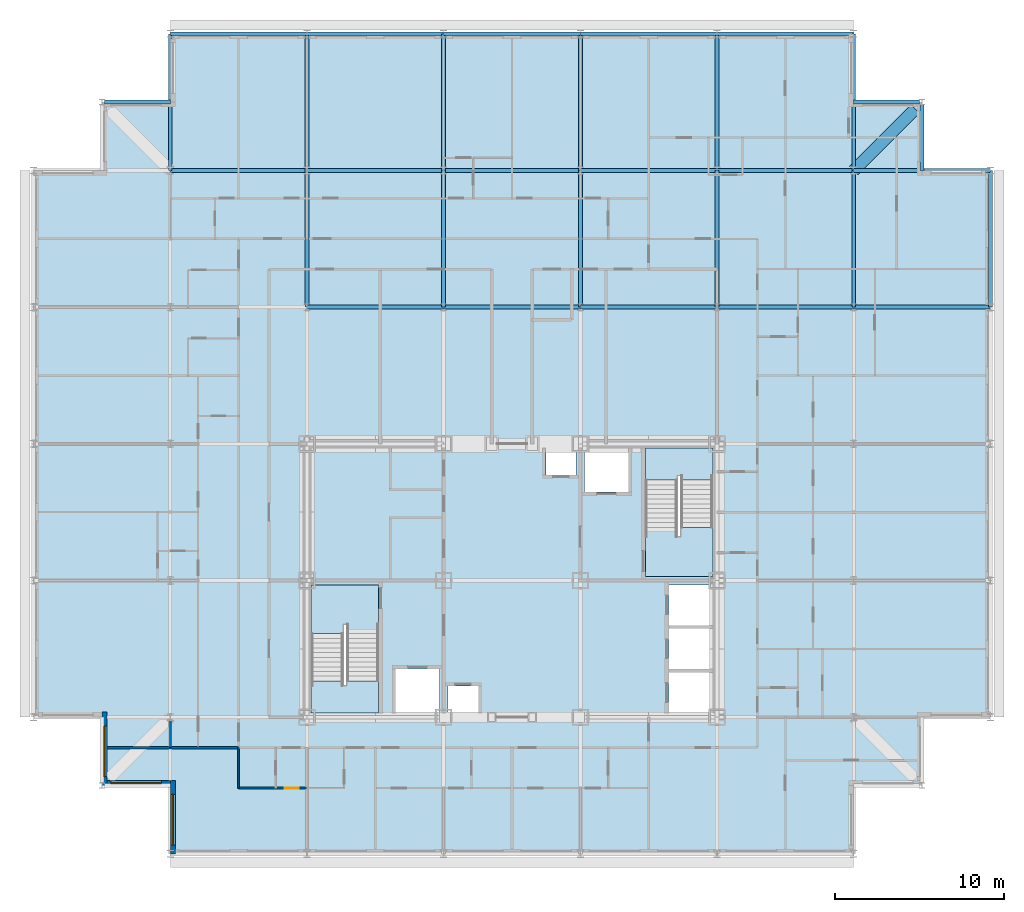
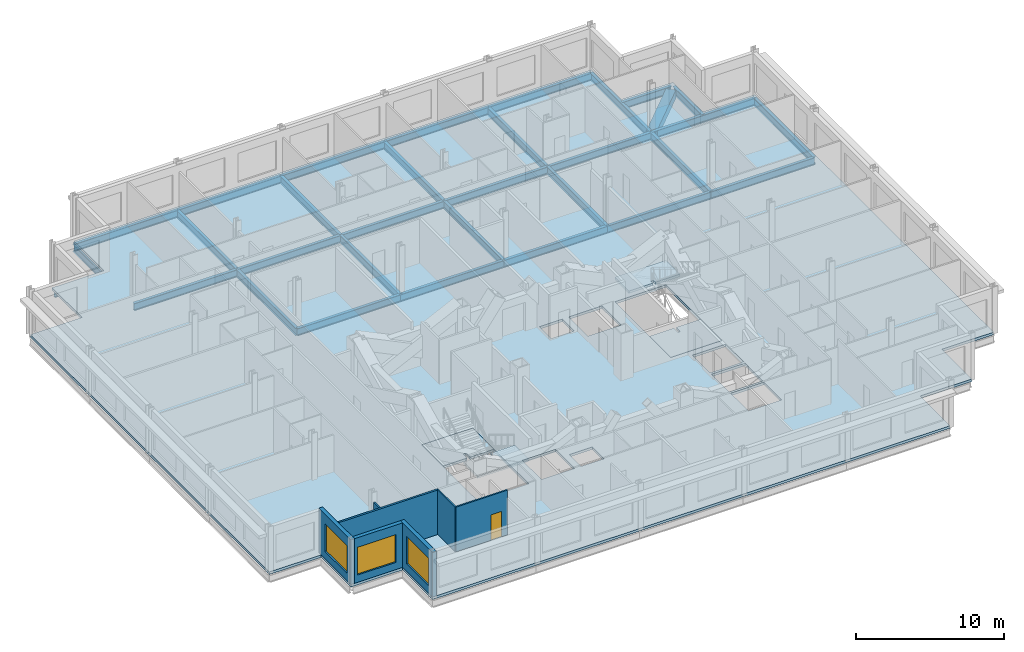
# One storey, part 6 of 15: 32 beams, 7 walls, 5 slabs, 3 windows, 1 door, 4 openings, 2 elements without a shape of their own.
"""IFC4 building model written with IfcOpenShell, lengths in metres."""

from ifc_helpers import new_model, si_unit, direction, frame, frame_2d, origin, origin_2d, place, context, subcontext, project, spatial, polyline, rectangle, hollow_rectangle, i_section, outline, extrude, material, layer, layer_set, material_profile, profile_set, type_object, element, fill, aggregate, save


model = new_model("IFC4")

# Units and contexts
model_context = context("Model", 3, precision=1e-05, world=origin(), true_north=direction((0.0, 1.0)))
body_context = subcontext(model_context, "Body", "Model", "MODEL_VIEW")
ifc_project = project(units=[si_unit("LENGTHUNIT", "METRE"), si_unit("AREAUNIT", "SQUARE_METRE"), si_unit("VOLUMEUNIT", "CUBIC_METRE"), si_unit("PLANEANGLEUNIT", "RADIAN"), si_unit("MASSUNIT", "GRAM", prefix="KILO")], contexts=[model_context])

# Site, building, storey
site_placement = place(None, origin())
site = spatial("IfcSite", under=ifc_project, at=site_placement, CompositionType="ELEMENT")
building_placement = place(site_placement, origin())
building = spatial("IfcBuilding", under=site, at=building_placement, Name="Kopane Lantern Tower", CompositionType="ELEMENT")
storey_placement = place(building_placement, frame((0.0, 0.0, 254.10009765625)))
storey = spatial("IfcBuildingStorey", under=building, at=storey_placement, Name="L65", CompositionType="ELEMENT", Elevation=254.10009765625)

# Beams
ifc_material_1 = material(Name="Steel S355JR", Category="steel")
ifc_material_profile_1 = material_profile(ifc_material_1, hollow_rectangle(XDim=0.699951171875, YDim=0.699951171875, WallThickness=0.06005859375, at=origin_2d()), Name="BOX 700x700x60")
ifc_profile_set_1 = profile_set([ifc_material_profile_1], Name="Steel S355JR")
beam_type_1 = type_object("IfcBeamType", Name="CORNER TIE BEAM BOX 700x700x60", PredefinedType="BEAM", material=ifc_profile_set_1)
beam_1_placement = place(storey_placement, frame((52.25244140625, 60.3525390625, -0.56005859375), z_axis=(-0.707083148333, -0.70713041325, 0.0), x_axis=(0.70713041325, -0.707083148333, 0.0)))
element("IfcBeam", 1, at=beam_1_placement, inside=storey, type_object=beam_type_1, Name="Corner Tie Beam L65", PredefinedType="BEAM", context=body_context, shape_type="SweptSolid", body=[
    extrude(hollow_rectangle(XDim=0.699951171875, YDim=0.699951171875, WallThickness=0.06005859375, at=origin_2d()), origin(), (0.0, 0.0, 1.0), 5.165283203125),
])
ifc_material_2 = material(Name="Steel S355JR", Category="steel")
ifc_material_profile_2 = material_profile(ifc_material_2, i_section(OverallWidth=0.22900390625, OverallDepth=0.6123046875, WebThickness=0.011962890625, FlangeThickness=0.01953125, FilletRadius=0.0126953125, at=origin_2d()), Name="UB 610x229x125")
ifc_profile_set_2 = profile_set([ifc_material_profile_2], Name="Steel S355JR")
beam_type_2 = type_object("IfcBeamType", Name="EDGE BEAM UB 610x229x125", PredefinedType="BEAM", material=ifc_profile_set_2)
beam_2_placement = place(storey_placement, frame((4.20361328125, 60.75, -0.51611328125), z_axis=(1.0, 0.0, 0.0), x_axis=(0.0, 1.0, 0.0)))
element("IfcBeam", 2, at=beam_2_placement, inside=storey, type_object=beam_type_2, Name="Edge Beam L65", PredefinedType="BEAM", context=body_context, shape_type="SweptSolid", body=[
    extrude(i_section(OverallWidth=0.22900390625, OverallDepth=0.6123046875, WebThickness=0.011962890625, FlangeThickness=0.01953125, FilletRadius=0.0126953125, at=origin_2d()), origin(), (0.0, 0.0, 1.0), 3.896484375),
])
for number, where, z_axis, x_axis, name in (
    (3, (52.496337890625, 60.75, -0.51611328125), (-1.0, 0.0, 0.0), (0.0, -1.0, 0.0), "Edge Beam L65"),
    (4, (52.64990234375, 60.59619140625, -0.51611328125), (0.0, -1.0, 0.0), (1.0, 0.0, 0.0), "Edge Beam L65"),
):
    element("IfcBeam", number, at=place(storey_placement, frame(where, z_axis=z_axis, x_axis=x_axis)), inside=storey, type_object=beam_type_2, Name=name, PredefinedType="BEAM", context=body_context, shape_type="SweptSolid", body=[
        extrude(i_section(OverallWidth=0.22900390625, OverallDepth=0.6123046875, WebThickness=0.011962890625, FlangeThickness=0.01953125, FilletRadius=0.0126953125, at=origin_2d()), origin(), (0.0, 0.0, 1.0), 3.896240234375),
    ])
ifc_material_3 = material(Name="Steel S355JR", Category="steel")
ifc_material_profile_3 = material_profile(ifc_material_3, i_section(OverallWidth=0.22900390625, OverallDepth=0.6123046875, WebThickness=0.011962890625, FlangeThickness=0.01953125, FilletRadius=0.0126953125, at=origin_2d()), Name="UB 610x229x125")
ifc_profile_set_3 = profile_set([ifc_material_profile_3], Name="Steel S355JR")
beam_type_3 = type_object("IfcBeamType", Name="GIRDER UB 610x229x125", PredefinedType="BEAM", material=ifc_profile_set_3)
beam_3_placement = place(storey_placement, frame((8.10009765625, 56.699951171875, -0.51611328125), z_axis=(0.0, 1.0, 0.0), x_axis=(-1.0, 0.0, 0.0)))
element("IfcBeam", 5, at=beam_3_placement, inside=storey, type_object=beam_type_3, Name="Girder L65", PredefinedType="BEAM", context=body_context, shape_type="SweptSolid", body=[
    extrude(i_section(OverallWidth=0.22900390625, OverallDepth=0.6123046875, WebThickness=0.011962890625, FlangeThickness=0.01953125, FilletRadius=0.0126953125, at=origin_2d()), origin(), (0.0, 0.0, 1.0), 8.10009765625),
])
for number, where, z_axis, x_axis, name in (
    (6, (8.10009765625, 56.699951171875, -0.51611328125), (1.0, 0.0, 0.0), (0.0, 1.0, 0.0), "Girder L65"),
    (7, (8.10009765625, 64.800048828125, -0.51611328125), (1.0, 0.0, 0.0), (0.0, 1.0, 0.0), "Girder L65"),
    (8, (16.199951171875, 48.60009765625, -0.51611328125), (0.0, 1.0, 0.0), (-1.0, 0.0, 0.0), "Girder L65"),
):
    element("IfcBeam", number, at=place(storey_placement, frame(where, z_axis=z_axis, x_axis=x_axis)), inside=storey, type_object=beam_type_3, Name=name, PredefinedType="BEAM", context=body_context, shape_type="SweptSolid", body=[
        extrude(i_section(OverallWidth=0.22900390625, OverallDepth=0.6123046875, WebThickness=0.011962890625, FlangeThickness=0.01953125, FilletRadius=0.0126953125, at=origin_2d()), origin(), (0.0, 0.0, 1.0), 8.099853515625),
    ])
for number, where, z_axis, x_axis, name in (
    (9, (16.199951171875, 48.60009765625, -0.51611328125), (1.0, 0.0, 0.0), (0.0, 1.0, 0.0), "Girder L65"),
    (10, (16.199951171875, 56.699951171875, -0.51611328125), (0.0, 1.0, 0.0), (-1.0, 0.0, 0.0), "Girder L65"),
    (11, (16.199951171875, 56.699951171875, -0.51611328125), (1.0, 0.0, 0.0), (0.0, 1.0, 0.0), "Girder L65"),
    (12, (16.199951171875, 64.800048828125, -0.51611328125), (1.0, 0.0, 0.0), (0.0, 1.0, 0.0), "Girder L65"),
):
    element("IfcBeam", number, at=place(storey_placement, frame(where, z_axis=z_axis, x_axis=x_axis)), inside=storey, type_object=beam_type_3, Name=name, PredefinedType="BEAM", context=body_context, shape_type="SweptSolid", body=[
        extrude(i_section(OverallWidth=0.22900390625, OverallDepth=0.6123046875, WebThickness=0.011962890625, FlangeThickness=0.01953125, FilletRadius=0.0126953125, at=origin_2d()), origin(), (0.0, 0.0, 1.0), 8.10009765625),
    ])
for number, where, z_axis, x_axis, name in (
    (13, (24.300048828125, 48.60009765625, -0.51611328125), (0.0, 1.0, 0.0), (-1.0, 0.0, 0.0), "Girder L65"),
    (14, (24.300048828125, 48.60009765625, -0.51611328125), (1.0, 0.0, 0.0), (0.0, 1.0, 0.0), "Girder L65"),
):
    element("IfcBeam", number, at=place(storey_placement, frame(where, z_axis=z_axis, x_axis=x_axis)), inside=storey, type_object=beam_type_3, Name=name, PredefinedType="BEAM", context=body_context, shape_type="SweptSolid", body=[
        extrude(i_section(OverallWidth=0.22900390625, OverallDepth=0.6123046875, WebThickness=0.011962890625, FlangeThickness=0.01953125, FilletRadius=0.0126953125, at=origin_2d()), origin(), (0.0, 0.0, 1.0), 8.099853515625),
    ])
beam_4_placement = place(storey_placement, frame((24.300048828125, 56.699951171875, -0.51611328125), z_axis=(0.0, 1.0, 0.0), x_axis=(-1.0, 0.0, 0.0)))
element("IfcBeam", 15, at=beam_4_placement, inside=storey, type_object=beam_type_3, Name="Girder L65", PredefinedType="BEAM", context=body_context, shape_type="SweptSolid", body=[
    extrude(i_section(OverallWidth=0.22900390625, OverallDepth=0.6123046875, WebThickness=0.011962890625, FlangeThickness=0.01953125, FilletRadius=0.0126953125, at=origin_2d()), origin(), (0.0, 0.0, 1.0), 8.10009765625),
])
for number, where, z_axis, x_axis, name in (
    (16, (24.300048828125, 56.699951171875, -0.51611328125), (1.0, 0.0, 0.0), (0.0, 1.0, 0.0), "Girder L65"),
    (17, (24.300048828125, 64.800048828125, -0.51611328125), (1.0, 0.0, 0.0), (0.0, 1.0, 0.0), "Girder L65"),
    (18, (32.39990234375, 48.60009765625, -0.51611328125), (0.0, 1.0, 0.0), (-1.0, 0.0, 0.0), "Girder L65"),
):
    element("IfcBeam", number, at=place(storey_placement, frame(where, z_axis=z_axis, x_axis=x_axis)), inside=storey, type_object=beam_type_3, Name=name, PredefinedType="BEAM", context=body_context, shape_type="SweptSolid", body=[
        extrude(i_section(OverallWidth=0.22900390625, OverallDepth=0.6123046875, WebThickness=0.011962890625, FlangeThickness=0.01953125, FilletRadius=0.0126953125, at=origin_2d()), origin(), (0.0, 0.0, 1.0), 8.099853515625),
    ])
for number, where, z_axis, x_axis, name in (
    (19, (32.39990234375, 48.60009765625, -0.51611328125), (1.0, 0.0, 0.0), (0.0, 1.0, 0.0), "Girder L65"),
    (20, (32.39990234375, 56.699951171875, -0.51611328125), (0.0, 1.0, 0.0), (-1.0, 0.0, 0.0), "Girder L65"),
    (21, (32.39990234375, 56.699951171875, -0.51611328125), (1.0, 0.0, 0.0), (0.0, 1.0, 0.0), "Girder L65"),
    (22, (32.39990234375, 64.800048828125, -0.51611328125), (1.0, 0.0, 0.0), (0.0, 1.0, 0.0), "Girder L65"),
):
    element("IfcBeam", number, at=place(storey_placement, frame(where, z_axis=z_axis, x_axis=x_axis)), inside=storey, type_object=beam_type_3, Name=name, PredefinedType="BEAM", context=body_context, shape_type="SweptSolid", body=[
        extrude(i_section(OverallWidth=0.22900390625, OverallDepth=0.6123046875, WebThickness=0.011962890625, FlangeThickness=0.01953125, FilletRadius=0.0126953125, at=origin_2d()), origin(), (0.0, 0.0, 1.0), 8.10009765625),
    ])
beam_5_placement = place(storey_placement, frame((40.5, 48.60009765625, -0.51611328125), z_axis=(0.0, 1.0, 0.0), x_axis=(-1.0, 0.0, 0.0)))
element("IfcBeam", 23, at=beam_5_placement, inside=storey, type_object=beam_type_3, Name="Girder L65", PredefinedType="BEAM", context=body_context, shape_type="SweptSolid", body=[
    extrude(i_section(OverallWidth=0.22900390625, OverallDepth=0.6123046875, WebThickness=0.011962890625, FlangeThickness=0.01953125, FilletRadius=0.0126953125, at=origin_2d()), origin(), (0.0, 0.0, 1.0), 8.099853515625),
])
for number, where, z_axis, x_axis, name in (
    (24, (40.5, 48.60009765625, -0.51611328125), (1.0, 0.0, 0.0), (0.0, 1.0, 0.0), "Girder L65"),
    (25, (40.5, 56.699951171875, -0.51611328125), (0.0, 1.0, 0.0), (-1.0, 0.0, 0.0), "Girder L65"),
    (26, (40.5, 56.699951171875, -0.51611328125), (1.0, 0.0, 0.0), (0.0, 1.0, 0.0), "Girder L65"),
    (27, (40.5, 64.800048828125, -0.51611328125), (1.0, 0.0, 0.0), (0.0, 1.0, 0.0), "Girder L65"),
):
    element("IfcBeam", number, at=place(storey_placement, frame(where, z_axis=z_axis, x_axis=x_axis)), inside=storey, type_object=beam_type_3, Name=name, PredefinedType="BEAM", context=body_context, shape_type="SweptSolid", body=[
        extrude(i_section(OverallWidth=0.22900390625, OverallDepth=0.6123046875, WebThickness=0.011962890625, FlangeThickness=0.01953125, FilletRadius=0.0126953125, at=origin_2d()), origin(), (0.0, 0.0, 1.0), 8.10009765625),
    ])
for number, where, z_axis, x_axis, name in (
    (28, (48.60009765625, 48.60009765625, -0.51611328125), (0.0, 1.0, 0.0), (-1.0, 0.0, 0.0), "Girder L65"),
    (29, (48.60009765625, 48.60009765625, -0.51611328125), (1.0, 0.0, 0.0), (0.0, 1.0, 0.0), "Girder L65"),
):
    element("IfcBeam", number, at=place(storey_placement, frame(where, z_axis=z_axis, x_axis=x_axis)), inside=storey, type_object=beam_type_3, Name=name, PredefinedType="BEAM", context=body_context, shape_type="SweptSolid", body=[
        extrude(i_section(OverallWidth=0.22900390625, OverallDepth=0.6123046875, WebThickness=0.011962890625, FlangeThickness=0.01953125, FilletRadius=0.0126953125, at=origin_2d()), origin(), (0.0, 0.0, 1.0), 8.099853515625),
    ])
beam_6_placement = place(storey_placement, frame((48.60009765625, 56.699951171875, -0.51611328125), z_axis=(0.0, 1.0, 0.0), x_axis=(-1.0, 0.0, 0.0)))
element("IfcBeam", 30, at=beam_6_placement, inside=storey, type_object=beam_type_3, Name="Girder L65", PredefinedType="BEAM", context=body_context, shape_type="SweptSolid", body=[
    extrude(i_section(OverallWidth=0.22900390625, OverallDepth=0.6123046875, WebThickness=0.011962890625, FlangeThickness=0.01953125, FilletRadius=0.0126953125, at=origin_2d()), origin(), (0.0, 0.0, 1.0), 8.10009765625),
])
for number, where, z_axis, x_axis, name in (
    (31, (48.60009765625, 56.699951171875, -0.51611328125), (1.0, 0.0, 0.0), (0.0, 1.0, 0.0), "Girder L65"),
    (32, (56.699951171875, 48.60009765625, -0.51611328125), (0.0, 1.0, 0.0), (-1.0, 0.0, 0.0), "Girder L65"),
):
    element("IfcBeam", number, at=place(storey_placement, frame(where, z_axis=z_axis, x_axis=x_axis)), inside=storey, type_object=beam_type_3, Name=name, PredefinedType="BEAM", context=body_context, shape_type="SweptSolid", body=[
        extrude(i_section(OverallWidth=0.22900390625, OverallDepth=0.6123046875, WebThickness=0.011962890625, FlangeThickness=0.01953125, FilletRadius=0.0126953125, at=origin_2d()), origin(), (0.0, 0.0, 1.0), 8.099853515625),
    ])

# Slab
ifc_material_4 = material(Name="Concrete C40/50", Category="concrete")
ifc_layer_1 = layer(ifc_material_4, 0.2099609375)
ifc_layer_set_1 = layer_set([ifc_layer_1], Name="SLAB 210 COMPOSITE")
slab_type_1 = type_object("IfcSlabType", Name="SLAB 210 COMPOSITE", PredefinedType="FLOOR", material=ifc_layer_set_1)
slab_1_placement = place(storey_placement, frame((0.0, 0.0, -0.210205078125)))
element("IfcSlab", 33, at=slab_1_placement, inside=storey, type_object=slab_type_1, Name="Floor slab L65", PredefinedType="FLOOR", context=body_context, shape_type="SweptSolid", body=[
    extrude(outline(polyline([(8.10009765625, 16.199951171875), (48.60009765625, 16.199951171875), (48.60009765625, 20.25), (52.64990234375, 20.25), (52.64990234375, 24.300048828125), (56.699951171875, 24.300048828125), (56.699951171875, 56.699951171875), (52.64990234375, 56.699951171875), (52.64990234375, 60.75), (48.60009765625, 60.75), (48.60009765625, 64.800048828125), (8.10009765625, 64.800048828125), (8.10009765625, 60.75), (4.050048828125, 60.75), (4.050048828125, 56.699951171875), (0.0, 56.699951171875), (0.0, 24.300048828125), (4.050048828125, 24.300048828125), (4.050048828125, 20.25), (8.10009765625, 20.25), (8.10009765625, 16.199951171875)]), holes=[polyline([(16.449951171875, 24.550048828125), (20.449951171875, 24.550048828125), (20.449951171875, 32.14990234375), (16.449951171875, 32.14990234375), (16.449951171875, 24.550048828125)]), polyline([(36.25, 32.64990234375), (40.25, 32.64990234375), (40.25, 40.25), (36.25, 40.25), (36.25, 32.64990234375)]), polyline([(37.64990234375, 24.550048828125), (40.25, 24.550048828125), (40.25, 26.949951171875), (37.64990234375, 26.949951171875), (37.64990234375, 24.550048828125)]), polyline([(37.64990234375, 27.14990234375), (40.25, 27.14990234375), (40.25, 29.550048828125), (37.64990234375, 29.550048828125), (37.64990234375, 27.14990234375)]), polyline([(37.64990234375, 29.75), (40.25, 29.75), (40.25, 32.14990234375), (37.64990234375, 32.14990234375), (37.64990234375, 29.75)]), polyline([(21.449951171875, 24.550048828125), (24.050048828125, 24.550048828125), (24.050048828125, 27.14990234375), (21.449951171875, 27.14990234375), (21.449951171875, 24.550048828125)]), polyline([(32.64990234375, 37.64990234375), (35.25, 37.64990234375), (35.25, 40.25), (32.64990234375, 40.25), (32.64990234375, 37.64990234375)]), polyline([(24.550048828125, 24.550048828125), (26.35009765625, 24.550048828125), (26.35009765625, 26.14990234375), (24.550048828125, 26.14990234375), (24.550048828125, 24.550048828125)]), polyline([(30.35009765625, 38.64990234375), (32.14990234375, 38.64990234375), (32.14990234375, 40.25), (30.35009765625, 40.25), (30.35009765625, 38.64990234375)])]), origin(), (0.0, 0.0, 1.0), 0.210205078125),
])

# Stair, slabs
ifc_material_5 = material(Name="Steel S355JR", Category="steel")
stair_type = type_object("IfcStairType", Name="EXIT STAIR 1900 HALF TURN", PredefinedType="HALF_TURN_STAIR", material=ifc_material_5)
stair_1_placement = place(storey_placement, origin())
stair_1 = element("IfcStair", 34, at=stair_1_placement, inside=storey, type_object=stair_type, Name="Exit stair ST1 L65", PredefinedType="HALF_TURN_STAIR")
ifc_material_6 = material(Name="Concrete C40/50", Category="concrete")
ifc_layer_2 = layer(ifc_material_6, 0.199951171875)
ifc_layer_set_2 = layer_set([ifc_layer_2], Name="STAIR LANDING 200")
slab_type_2 = type_object("IfcSlabType", Name="STAIR LANDING 200", PredefinedType="LANDING", material=ifc_layer_set_2)
slab_2_placement = place(storey_placement, frame((0.0, 0.0, -0.2001953125)))
slab_2 = element("IfcSlab", 35, at=slab_2_placement, type_object=slab_type_2, Name="ST1 landing 1", PredefinedType="LANDING", context=body_context, shape_type="SweptSolid", body=[
    extrude(outline(polyline([(18.35009765625, 29.81005859375), (18.550048828125, 29.81005859375), (18.550048828125, 29.25), (20.449951171875, 29.25), (20.449951171875, 32.14990234375), (16.449951171875, 32.14990234375), (16.449951171875, 29.25), (18.35009765625, 29.25), (18.35009765625, 29.81005859375)])), origin(), (0.0, 0.0, 1.0), 0.2001953125),
])
slab_3_placement = place(storey_placement, frame((0.0, 0.0, 1.834716796875)))
slab_3 = element("IfcSlab", 36, at=slab_3_placement, type_object=slab_type_2, Name="ST1 landing 2", PredefinedType="LANDING", context=body_context, shape_type="SweptSolid", body=[
    extrude(outline(polyline([(20.449951171875, 26.449951171875), (18.550048828125, 26.449951171875), (18.550048828125, 26.169921875), (18.35009765625, 26.169921875), (18.35009765625, 26.449951171875), (16.449951171875, 26.449951171875), (16.449951171875, 24.550048828125), (20.449951171875, 24.550048828125), (20.449951171875, 26.449951171875)])), origin(), (0.0, 0.0, 1.0), 0.199951171875),
])
aggregate(stair_1, [slab_2, slab_3])

stair_2_placement = place(storey_placement, origin())
stair_2 = element("IfcStair", 37, at=stair_2_placement, inside=storey, type_object=stair_type, Name="Exit stair ST2 L65", PredefinedType="HALF_TURN_STAIR")
slab_4_placement = place(storey_placement, frame((0.0, 0.0, -0.2001953125)))
slab_4 = element("IfcSlab", 38, at=slab_4_placement, type_object=slab_type_2, Name="ST2 landing 1", PredefinedType="LANDING", context=body_context, shape_type="SweptSolid", body=[
    extrude(outline(polyline([(40.25, 35.550048828125), (38.35009765625, 35.550048828125), (38.35009765625, 34.989990234375), (38.14990234375, 34.989990234375), (38.14990234375, 35.550048828125), (36.25, 35.550048828125), (36.25, 32.64990234375), (40.25, 32.64990234375), (40.25, 35.550048828125)])), origin(), (0.0, 0.0, 1.0), 0.2001953125),
])
slab_5_placement = place(storey_placement, frame((0.0, 0.0, 1.834716796875)))
slab_5 = element("IfcSlab", 39, at=slab_5_placement, type_object=slab_type_2, Name="ST2 landing 2", PredefinedType="LANDING", context=body_context, shape_type="SweptSolid", body=[
    extrude(outline(polyline([(38.14990234375, 38.6298828125), (38.35009765625, 38.6298828125), (38.35009765625, 38.35009765625), (40.25, 38.35009765625), (40.25, 40.25), (36.25, 40.25), (36.25, 38.35009765625), (38.14990234375, 38.35009765625), (38.14990234375, 38.6298828125)])), origin(), (0.0, 0.0, 1.0), 0.199951171875),
])
aggregate(stair_2, [slab_4, slab_5])

# Wall, opening, door
ifc_material_7 = material(Name="Gypsum board on steel studs", Category="steel")
ifc_layer_3 = layer(ifc_material_7, 0.1201171875)
ifc_layer_set_3 = layer_set([ifc_layer_3], Name="APARTMENT INTERNAL WALL 120")
wall_type_1 = type_object("IfcWallType", Name="APARTMENT INTERNAL WALL 120", PredefinedType="PARTITIONING", material=ifc_layer_set_3)
wall_1_placement = place(storey_placement, frame((12.14990234375, 20.10009765625, 0.0), z_axis=(0.0, 0.0, 1.0), x_axis=(1.0, 0.0, 0.0)))
wall_1 = element("IfcWall", 40, at=wall_1_placement, inside=storey, type_object=wall_type_1, Name="Apartment Internal Wall 120 L65", PredefinedType="PARTITIONING", context=body_context, shape_type="SweptSolid", body=[
    extrude(rectangle(XDim=4.050048828125, YDim=0.1201171875, at=frame_2d((2.02490234375, 0.0))), origin(), (0.0, 0.0, 1.0), 3.68994140625),
])
opening_1_placement = place(wall_1_placement, frame((2.72509765625, 0.0, 0.0)))
opening_1 = element("IfcOpeningElement", 41, at=opening_1_placement, cuts=wall_1, Name="Opening L65-038", PredefinedType="OPENING", context=body_context, shape_type="SweptSolid", body=[
    extrude(rectangle(XDim=0.85009765625, YDim=2.10009765625, at=frame_2d((0.425048828125, 1.050048828125))), frame((0.0, 0.070068359375, 0.0), z_axis=(0.0, -1.0, 0.0), x_axis=(1.0, 0.0, 0.0)), (0.0, 0.0, 1.0), 0.14013671875),
])
ifc_material_8 = material(Name="Timber door set", Category="wood")
door_type = type_object("IfcDoorType", Name="DOOR D4 850x2100", OperationType="SINGLE_SWING_LEFT", PredefinedType="DOOR", material=ifc_material_8)
door_placement = place(opening_1_placement, origin())
door = element("IfcDoor", 42, at=door_placement, inside=storey, type_object=door_type, Name="Door L65-038", OperationType="SINGLE_SWING_LEFT", OverallHeight=2.10009765625, OverallWidth=0.85009765625, PredefinedType="DOOR", context=body_context, shape_type="SweptSolid", body=[
    extrude(rectangle(XDim=0.85009765625, YDim=2.10009765625, at=frame_2d((0.425048828125, 1.050048828125))), frame((0.0, 0.02490234375, 0.0), z_axis=(0.0, -1.0, 0.0), x_axis=(1.0, 0.0, 0.0)), (0.0, 0.0, 1.0), 0.050048828125),
])
fill(opening_1, door)

# Walls
wall_2_placement = place(storey_placement, frame((8.10009765625, 22.5, 0.0), z_axis=(0.0, 0.0, 1.0), x_axis=(0.0, 1.0, 0.0)))
element("IfcWall", 43, at=wall_2_placement, inside=storey, type_object=wall_type_1, Name="Apartment Internal Wall 120 L65", PredefinedType="PARTITIONING", context=body_context, shape_type="SweptSolid", body=[
    extrude(rectangle(XDim=1.596923828125, YDim=0.1201171875, at=frame_2d((0.79833984375, 0.0))), origin(), (0.0, 0.0, 1.0), 3.07763671875),
])
ifc_material_9 = material(Name="Moisture-resistant board on steel studs", Category="steel")
ifc_layer_4 = layer(ifc_material_9, 0.10009765625)
ifc_layer_set_4 = layer_set([ifc_layer_4], Name="BATHROOM WALL 100")
wall_type_2 = type_object("IfcWallType", Name="BATHROOM WALL 100", PredefinedType="PARTITIONING", material=ifc_layer_set_4)
wall_3_placement = place(storey_placement, frame((12.14990234375, 22.5, 0.0), z_axis=(0.0, 0.0, 1.0), x_axis=(0.0, -1.0, 0.0)))
element("IfcWall", 44, at=wall_3_placement, inside=storey, type_object=wall_type_2, Name="Bathroom Wall 100 L65", PredefinedType="PARTITIONING", context=body_context, shape_type="SweptSolid", body=[
    extrude(rectangle(XDim=2.39990234375, YDim=0.10009765625, at=frame_2d((1.199951171875, 0.0))), origin(), (0.0, 0.0, 1.0), 3.68994140625),
])
ifc_material_10 = material(Name="Gypsum board on steel studs", Category="steel")
ifc_layer_5 = layer(ifc_material_10, 0.14990234375)
ifc_layer_set_5 = layer_set([ifc_layer_5], Name="DEMISING WALL 150 EI 60")
wall_type_3 = type_object("IfcWallType", Name="DEMISING WALL 150 EI 60", PredefinedType="PARTITIONING", material=ifc_layer_set_5)
wall_4_placement = place(storey_placement, frame((4.35009765625, 22.5, 0.0), z_axis=(0.0, 0.0, 1.0), x_axis=(1.0, 0.0, 0.0)))
element("IfcWall", 45, at=wall_4_placement, inside=storey, type_object=wall_type_3, Name="Demising Wall 150 Ei 60 L65", PredefinedType="PARTITIONING", context=body_context, shape_type="SweptSolid", body=[
    extrude(rectangle(XDim=7.7998046875, YDim=0.14990234375, at=frame_2d((3.89990234375, 0.0))), origin(), (0.0, 0.0, 1.0), 3.68994140625),
])

# Wall, opening, window
ifc_material_11 = material(Name="Terracotta rainscreen on light steel framing", Category="masonry")
ifc_layer_6 = layer(ifc_material_11, 0.300048828125)
ifc_layer_set_6 = layer_set([ifc_layer_6], Name="EXTERNAL WALL EW1 300 TERRACOTTA")
wall_type_4 = type_object("IfcWallType", Name="EXTERNAL WALL EW1 300 TERRACOTTA", PredefinedType="SOLIDWALL", material=ifc_layer_set_6)
wall_5_placement = place(storey_placement, frame((4.199951171875, 24.60009765625, 0.0), z_axis=(0.0, 0.0, 1.0), x_axis=(0.0, -1.0, 0.0)))
wall_5 = element("IfcWall", 46, at=wall_5_placement, inside=storey, type_object=wall_type_4, Name="External wall W L65", PredefinedType="SOLIDWALL", context=body_context, shape_type="SweptSolid", body=[
    extrude(rectangle(XDim=4.35009765625, YDim=0.300048828125, at=frame_2d((2.175048828125, 0.0))), origin(), (0.0, 0.0, 1.0), 3.68994140625),
])
opening_2_placement = place(wall_5_placement, frame((0.824951171875, 0.0, 0.60009765625)))
opening_2 = element("IfcOpeningElement", 47, at=opening_2_placement, cuts=wall_5, Name="Opening WR300230", PredefinedType="OPENING", context=body_context, shape_type="SweptSolid", body=[
    extrude(rectangle(XDim=3.0, YDim=2.300048828125, at=frame_2d((1.5, 1.14990234375))), frame((0.0, 0.159912109375, 0.0), z_axis=(0.0, -1.0, 0.0), x_axis=(1.0, 0.0, 0.0)), (0.0, 0.0, 1.0), 0.320068359375),
])
ifc_material_12 = material(Name="Aluminium and clear glass", Category="aluminium")
window_type = type_object("IfcWindowType", Name="RIBBON WINDOW WR300230 3000x2300", PartitioningType="SINGLE_PANEL", PredefinedType="WINDOW", material=ifc_material_12)
window_1_placement = place(opening_2_placement, origin())
window_1 = element("IfcWindow", 48, at=window_1_placement, inside=storey, type_object=window_type, Name="Window W L65", OverallHeight=2.300048828125, OverallWidth=3.0, PartitioningType="SINGLE_PANEL", PredefinedType="WINDOW", context=body_context, shape_type="SweptSolid", body=[
    extrude(rectangle(XDim=3.0, YDim=2.300048828125, at=frame_2d((1.5, 1.14990234375))), frame((0.0, 0.030029296875, 0.0), z_axis=(0.0, -1.0, 0.0), x_axis=(1.0, 0.0, 0.0)), (0.0, 0.0, 1.0), 0.06005859375),
])
fill(opening_2, window_1)

wall_6_placement = place(storey_placement, frame((4.35009765625, 20.39990234375, 0.0), z_axis=(0.0, 0.0, 1.0), x_axis=(1.0, 0.0, 0.0)))
wall_6 = element("IfcWall", 49, at=wall_6_placement, inside=storey, type_object=wall_type_4, Name="External wall S L65", PredefinedType="SOLIDWALL", context=body_context, shape_type="SweptSolid", body=[
    extrude(rectangle(XDim=3.75, YDim=0.300048828125, at=frame_2d((1.875, 0.0))), origin(), (0.0, 0.0, 1.0), 3.68994140625),
])
opening_3_placement = place(wall_6_placement, frame((0.22509765625, 0.0, 0.60009765625)))
opening_3 = element("IfcOpeningElement", 50, at=opening_3_placement, cuts=wall_6, Name="Opening WR300230", PredefinedType="OPENING", context=body_context, shape_type="SweptSolid", body=[
    extrude(rectangle(XDim=3.0, YDim=2.300048828125, at=frame_2d((1.5, 1.14990234375))), frame((0.0, 0.159912109375, 0.0), z_axis=(0.0, -1.0, 0.0), x_axis=(1.0, 0.0, 0.0)), (0.0, 0.0, 1.0), 0.320068359375),
])
window_2_placement = place(opening_3_placement, origin())
window_2 = element("IfcWindow", 51, at=window_2_placement, inside=storey, type_object=window_type, Name="Window S L65", OverallHeight=2.300048828125, OverallWidth=3.0, PartitioningType="SINGLE_PANEL", PredefinedType="WINDOW", context=body_context, shape_type="SweptSolid", body=[
    extrude(rectangle(XDim=3.0, YDim=2.300048828125, at=frame_2d((1.5, 1.14990234375))), frame((0.0, 0.030029296875, 0.0), z_axis=(0.0, -1.0, 0.0), x_axis=(1.0, 0.0, 0.0)), (0.0, 0.0, 1.0), 0.06005859375),
])
fill(opening_3, window_2)

wall_7_placement = place(storey_placement, frame((8.25, 20.550048828125, 0.0), z_axis=(0.0, 0.0, 1.0), x_axis=(0.0, -1.0, 0.0)))
wall_7 = element("IfcWall", 52, at=wall_7_placement, inside=storey, type_object=wall_type_4, Name="External wall W L65", PredefinedType="SOLIDWALL", context=body_context, shape_type="SweptSolid", body=[
    extrude(rectangle(XDim=4.35009765625, YDim=0.300048828125, at=frame_2d((2.175048828125, 0.0))), origin(), (0.0, 0.0, 1.0), 3.68994140625),
])
opening_4_placement = place(wall_7_placement, frame((0.824951171875, 0.0, 0.60009765625)))
opening_4 = element("IfcOpeningElement", 53, at=opening_4_placement, cuts=wall_7, Name="Opening WR300230", PredefinedType="OPENING", context=body_context, shape_type="SweptSolid", body=[
    extrude(rectangle(XDim=3.0, YDim=2.300048828125, at=frame_2d((1.5, 1.14990234375))), frame((0.0, 0.159912109375, 0.0), z_axis=(0.0, -1.0, 0.0), x_axis=(1.0, 0.0, 0.0)), (0.0, 0.0, 1.0), 0.320068359375),
])
window_3_placement = place(opening_4_placement, origin())
window_3 = element("IfcWindow", 54, at=window_3_placement, inside=storey, type_object=window_type, Name="Window W L65", OverallHeight=2.300048828125, OverallWidth=3.0, PartitioningType="SINGLE_PANEL", PredefinedType="WINDOW", context=body_context, shape_type="SweptSolid", body=[
    extrude(rectangle(XDim=3.0, YDim=2.300048828125, at=frame_2d((1.5, 1.14990234375))), frame((0.0, 0.030029296875, 0.0), z_axis=(0.0, -1.0, 0.0), x_axis=(1.0, 0.0, 0.0)), (0.0, 0.0, 1.0), 0.06005859375),
])
fill(opening_4, window_3)

save(model, "model.ifc")
